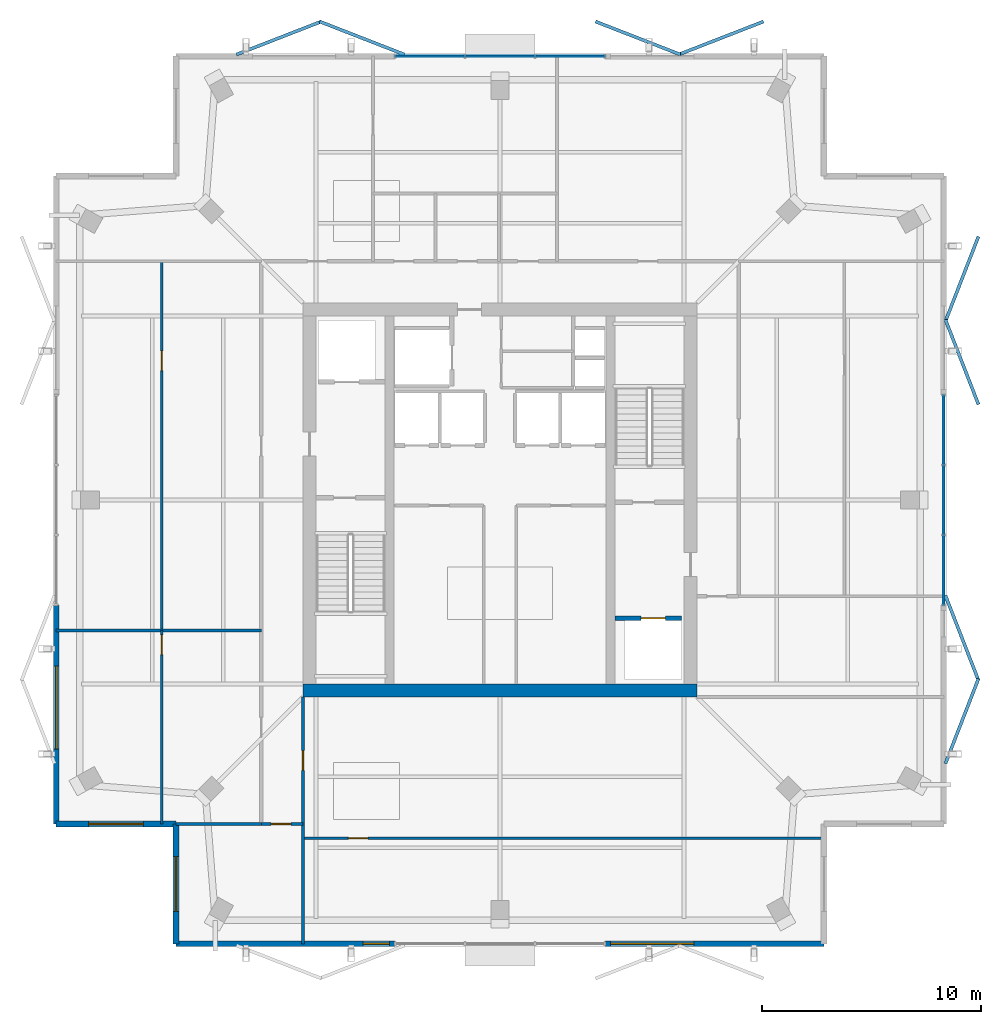
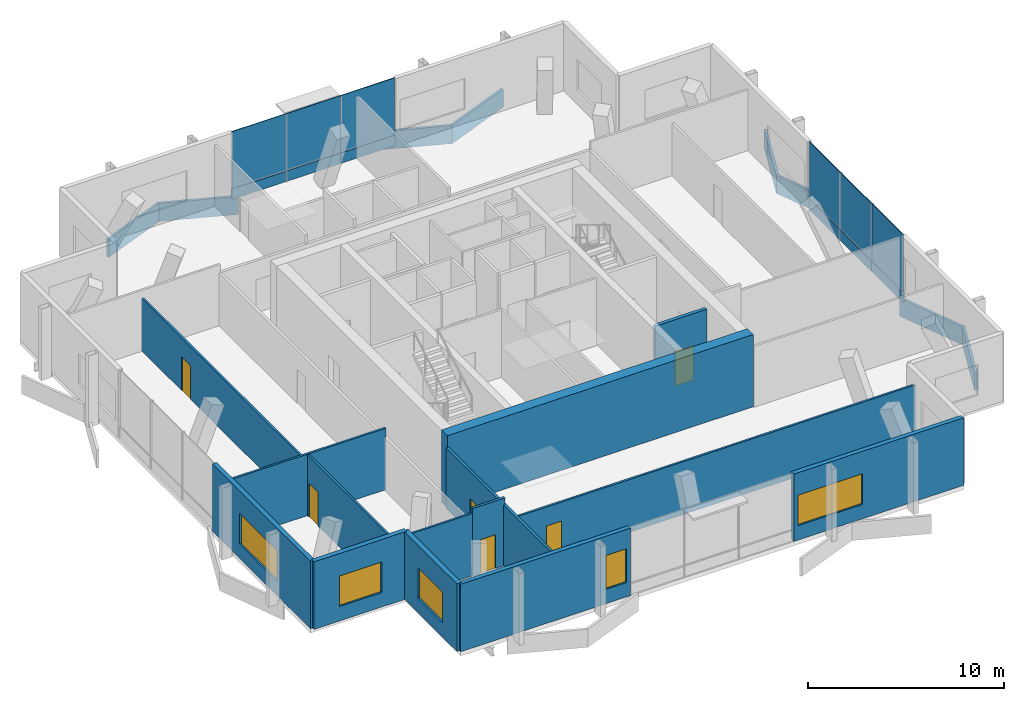
# One storey, part 11 of 16: 20 plates, 14 walls, 6 doors, 5 windows, 11 openings, 2 elements without a shape of their own.
"""IFC4 building model written with IfcOpenShell, lengths in metres."""

from ifc_helpers import new_model, si_unit, direction, frame, frame_2d, origin, origin_2d, place, context, subcontext, project, spatial, rectangle, extrude, material, layer, layer_set, type_object, element, fill, aggregate, save


model = new_model("IFC4")

# Units and contexts
model_context = context("Model", 3, precision=1e-05, world=origin(), true_north=direction((0.0, 1.0)))
body_context = subcontext(model_context, "Body", "Model", "MODEL_VIEW")
ifc_project = project(units=[si_unit("LENGTHUNIT", "METRE"), si_unit("AREAUNIT", "SQUARE_METRE"), si_unit("VOLUMEUNIT", "CUBIC_METRE"), si_unit("PLANEANGLEUNIT", "RADIAN"), si_unit("MASSUNIT", "GRAM", prefix="KILO")], contexts=[model_context])

# Site, building, storey
site_placement = place(None, origin())
site = spatial("IfcSite", under=ifc_project, at=site_placement, CompositionType="ELEMENT")
building_placement = place(site_placement, origin())
building = spatial("IfcBuilding", under=site, at=building_placement, Name="Belovzor Exchange Tower", CompositionType="ELEMENT")
storey_placement = place(building_placement, frame((0.0, 0.0, 364.5)))
storey = spatial("IfcBuildingStorey", under=building, at=storey_placement, Name="L91", CompositionType="ELEMENT", Elevation=364.5)

# Curtain wall, plates
ifc_material_1 = material(Name="Anodised Aluminium Framing", Category="aluminium")
ifc_layer_1 = layer(ifc_material_1, 0.169921875)
ifc_layer_set_1 = layer_set([ifc_layer_1], Name="Anodised Aluminium Framing")
curtain_wall_type = type_object("IfcCurtainWallType", Name="Stepped Crown Faceted Lantern Curtain Wall", PredefinedType="NOTDEFINED", material=ifc_layer_set_1)
curtain_wall_1_placement = place(storey_placement, origin())
curtain_wall_1 = element("IfcCurtainWall", 1, at=curtain_wall_1_placement, inside=storey, type_object=curtain_wall_type, Name="CW6 Stepped Crown Faceted Lantern Curtain Wall L91", PredefinedType="NOTDEFINED")
ifc_material_2 = material(Name="Solar-Control Triple Glazing", Category="glass")
ifc_layer_2 = layer(ifc_material_2, 0.0439453125)
ifc_layer_set_2 = layer_set([ifc_layer_2], Name="Solar-Control Triple Glazing")
plate_type_1 = type_object("IfcPlateType", Name="Insulated Solar Glazing Curtain Panel 44", PredefinedType="CURTAIN_PANEL", material=ifc_layer_set_2)
plate_1_placement = place(storey_placement, frame((25.60009765625, 49.070068359375, 0.65185546875), z_axis=(0.0, 0.0, 1.0), x_axis=(1.0, 0.0, 0.0)))
plate_1 = element("IfcPlate", 2, at=plate_1_placement, type_object=plate_type_1, Name="GLZ-44 Glazed Curtain Panel 1", PredefinedType="CURTAIN_PANEL", context=body_context, shape_type="SweptSolid", body=[
    extrude(rectangle(XDim=3.18408203125, YDim=0.0439453125, at=origin_2d()), origin(), (0.0, 0.0, 1.0), 3.548095703125),
])
plate_2_placement = place(storey_placement, frame((28.800048828125, 49.070068359375, 0.65185546875), z_axis=(0.0, 0.0, 1.0), x_axis=(1.0, 0.0, 0.0)))
plate_2 = element("IfcPlate", 3, at=plate_2_placement, type_object=plate_type_1, Name="GLZ-44 Glazed Curtain Panel 2", PredefinedType="CURTAIN_PANEL", context=body_context, shape_type="SweptSolid", body=[
    extrude(rectangle(XDim=3.18408203125, YDim=0.0439453125, at=origin_2d()), origin(), (0.0, 0.0, 1.0), 3.548095703125),
])
plate_3_placement = place(storey_placement, frame((32.0, 49.070068359375, 0.65185546875), z_axis=(0.0, 0.0, 1.0), x_axis=(1.0, 0.0, 0.0)))
plate_3 = element("IfcPlate", 4, at=plate_3_placement, type_object=plate_type_1, Name="GLZ-44 Glazed Curtain Panel 3", PredefinedType="CURTAIN_PANEL", context=body_context, shape_type="SweptSolid", body=[
    extrude(rectangle(XDim=3.18408203125, YDim=0.0439453125, at=origin_2d()), origin(), (0.0, 0.0, 1.0), 3.548095703125),
])

curtain_wall_2_placement = place(storey_placement, origin())
curtain_wall_2 = element("IfcCurtainWall", 5, at=curtain_wall_2_placement, inside=storey, type_object=curtain_wall_type, Name="CW6 Stepped Crown Faceted Lantern Curtain Wall L91", PredefinedType="NOTDEFINED")
plate_4_placement = place(storey_placement, frame((49.070068359375, 32.0, 0.65185546875), z_axis=(0.0, 0.0, 1.0), x_axis=(0.0, -1.0, 0.0)))
plate_4 = element("IfcPlate", 6, at=plate_4_placement, type_object=plate_type_1, Name="GLZ-44 Glazed Curtain Panel 1", PredefinedType="CURTAIN_PANEL", context=body_context, shape_type="SweptSolid", body=[
    extrude(rectangle(XDim=3.18408203125, YDim=0.0439453125, at=origin_2d()), origin(), (0.0, 0.0, 1.0), 3.548095703125),
])
plate_5_placement = place(storey_placement, frame((49.070068359375, 28.800048828125, 0.65185546875), z_axis=(0.0, 0.0, 1.0), x_axis=(0.0, -1.0, 0.0)))
plate_5 = element("IfcPlate", 7, at=plate_5_placement, type_object=plate_type_1, Name="GLZ-44 Glazed Curtain Panel 2", PredefinedType="CURTAIN_PANEL", context=body_context, shape_type="SweptSolid", body=[
    extrude(rectangle(XDim=3.18408203125, YDim=0.0439453125, at=origin_2d()), origin(), (0.0, 0.0, 1.0), 3.548095703125),
])
plate_6_placement = place(storey_placement, frame((49.070068359375, 25.60009765625, 0.65185546875), z_axis=(0.0, 0.0, 1.0), x_axis=(0.0, -1.0, 0.0)))
plate_6 = element("IfcPlate", 8, at=plate_6_placement, type_object=plate_type_1, Name="GLZ-44 Glazed Curtain Panel 3", PredefinedType="CURTAIN_PANEL", context=body_context, shape_type="SweptSolid", body=[
    extrude(rectangle(XDim=3.18408203125, YDim=0.0439453125, at=origin_2d()), origin(), (0.0, 0.0, 1.0), 3.548095703125),
])

# Plate
ifc_material_3 = material(Name="Extruded Architectural Terracotta", Category="masonry")
ifc_layer_3 = layer(ifc_material_3, 0.090087890625)
ifc_layer_set_3 = layer_set([ifc_layer_3], Name="Extruded Architectural Terracotta")
plate_type_2 = type_object("IfcPlateType", Name="Terracotta Shadow-Box Spandrel Panel 90", PredefinedType="CURTAIN_PANEL", material=ifc_layer_set_3)
plate_7_placement = place(storey_placement, frame((25.60009765625, 49.070068359375, 0.0), z_axis=(0.0, 0.0, 1.0), x_axis=(1.0, 0.0, 0.0)))
plate_7 = element("IfcPlate", 9, at=plate_7_placement, type_object=plate_type_2, Name="SPD-90 Spandrel Panel 1", PredefinedType="CURTAIN_PANEL", context=body_context, shape_type="SweptSolid", body=[
    extrude(rectangle(XDim=3.18408203125, YDim=0.090087890625, at=origin_2d()), origin(), (0.0, 0.0, 1.0), 0.64794921875),
])

plate_8_placement = place(storey_placement, frame((28.800048828125, 49.070068359375, 0.0), z_axis=(0.0, 0.0, 1.0), x_axis=(1.0, 0.0, 0.0)))
plate_8 = element("IfcPlate", 10, at=plate_8_placement, type_object=plate_type_2, Name="SPD-90 Spandrel Panel 2", PredefinedType="CURTAIN_PANEL", context=body_context, shape_type="SweptSolid", body=[
    extrude(rectangle(XDim=3.18408203125, YDim=0.090087890625, at=origin_2d()), origin(), (0.0, 0.0, 1.0), 0.64794921875),
])

plate_9_placement = place(storey_placement, frame((32.0, 49.070068359375, 0.0), z_axis=(0.0, 0.0, 1.0), x_axis=(1.0, 0.0, 0.0)))
plate_9 = element("IfcPlate", 11, at=plate_9_placement, type_object=plate_type_2, Name="SPD-90 Spandrel Panel 3", PredefinedType="CURTAIN_PANEL", context=body_context, shape_type="SweptSolid", body=[
    extrude(rectangle(XDim=3.18408203125, YDim=0.090087890625, at=origin_2d()), origin(), (0.0, 0.0, 1.0), 0.64794921875),
])

aggregate(curtain_wall_1, [plate_7, plate_1, plate_8, plate_2, plate_9, plate_3])

plate_10_placement = place(storey_placement, frame((49.070068359375, 32.0, 0.0), z_axis=(0.0, 0.0, 1.0), x_axis=(0.0, -1.0, 0.0)))
plate_10 = element("IfcPlate", 12, at=plate_10_placement, type_object=plate_type_2, Name="SPD-90 Spandrel Panel 1", PredefinedType="CURTAIN_PANEL", context=body_context, shape_type="SweptSolid", body=[
    extrude(rectangle(XDim=3.18408203125, YDim=0.090087890625, at=origin_2d()), origin(), (0.0, 0.0, 1.0), 0.64794921875),
])

plate_11_placement = place(storey_placement, frame((49.070068359375, 28.800048828125, 0.0), z_axis=(0.0, 0.0, 1.0), x_axis=(0.0, -1.0, 0.0)))
plate_11 = element("IfcPlate", 13, at=plate_11_placement, type_object=plate_type_2, Name="SPD-90 Spandrel Panel 2", PredefinedType="CURTAIN_PANEL", context=body_context, shape_type="SweptSolid", body=[
    extrude(rectangle(XDim=3.18408203125, YDim=0.090087890625, at=origin_2d()), origin(), (0.0, 0.0, 1.0), 0.64794921875),
])

plate_12_placement = place(storey_placement, frame((49.070068359375, 25.60009765625, 0.0), z_axis=(0.0, 0.0, 1.0), x_axis=(0.0, -1.0, 0.0)))
plate_12 = element("IfcPlate", 14, at=plate_12_placement, type_object=plate_type_2, Name="SPD-90 Spandrel Panel 3", PredefinedType="CURTAIN_PANEL", context=body_context, shape_type="SweptSolid", body=[
    extrude(rectangle(XDim=3.18408203125, YDim=0.090087890625, at=origin_2d()), origin(), (0.0, 0.0, 1.0), 0.64794921875),
])

aggregate(curtain_wall_2, [plate_10, plate_4, plate_11, plate_5, plate_12, plate_6])

# Plates
ifc_material_4 = material(Name="Extruded Architectural Terracotta", Category="masonry")
ifc_layer_4 = layer(ifc_material_4, 0.14990234375)
ifc_layer_set_4 = layer_set([ifc_layer_4], Name="Extruded Architectural Terracotta")
plate_type_3 = type_object("IfcPlateType", Name="Upper-Crown Deep Folded Zigzag Terracotta Spandrel Louvre 150", PredefinedType="USERDEFINED", material=ifc_layer_set_4)
for number, where, z_axis, x_axis, name in (
    (15, (18.699951171875, 49.89990234375, -1.10498046875), (0.0, 0.0, 1.0), (0.931817969421, 0.362925986758, 0.0), "LVR-ZZ3 Zigzag Terracotta Spandrel Louvre L91 N1A"),
    (16, (22.5, 49.89990234375, -1.10498046875), (0.0, 0.0, 1.0), (0.931817969421, -0.362925986758, 0.0), "LVR-ZZ3 Zigzag Terracotta Spandrel Louvre L91 N1B"),
    (17, (49.89990234375, 18.699951171875, -1.10498046875), (0.0, 0.0, 1.0), (0.362925986758, 0.931817969421, 0.0), "LVR-ZZ3 Zigzag Terracotta Spandrel Louvre L91 E1A"),
    (18, (49.89990234375, 22.5, -1.10498046875), (0.0, 0.0, 1.0), (-0.362925986758, 0.931817969421, 0.0), "LVR-ZZ3 Zigzag Terracotta Spandrel Louvre L91 E1B"),
    (19, (35.10009765625, 49.89990234375, -1.10498046875), (0.0, 0.0, 1.0), (0.931817969421, -0.362925986758, 0.0), "LVR-ZZ3 Zigzag Terracotta Spandrel Louvre L91 N2A"),
    (20, (38.89990234375, 49.89990234375, -1.10498046875), (0.0, 0.0, 1.0), (0.931817969421, 0.362925986758, 0.0), "LVR-ZZ3 Zigzag Terracotta Spandrel Louvre L91 N2B"),
    (21, (49.89990234375, 35.10009765625, -1.10498046875), (0.0, 0.0, 1.0), (-0.362925986758, 0.931817969421, 0.0), "LVR-ZZ3 Zigzag Terracotta Spandrel Louvre L91 E2A"),
    (22, (49.89990234375, 38.89990234375, -1.10498046875), (0.0, 0.0, 1.0), (0.362925986758, 0.931817969421, 0.0), "LVR-ZZ3 Zigzag Terracotta Spandrel Louvre L91 E2B"),
):
    element("IfcPlate", number, at=place(storey_placement, frame(where, z_axis=z_axis, x_axis=x_axis)), inside=storey, type_object=plate_type_3, Name=name, ObjectType="SPANDREL_LOUVRE", PredefinedType="USERDEFINED", context=body_context, shape_type="SweptSolid", body=[
        extrude(rectangle(XDim=4.157958984375, YDim=0.14990234375, at=origin_2d()), origin(), (0.0, 0.0, 1.0), 1.1201171875),
    ])

# Wall, opening, door
ifc_material_5 = material(Name="Acoustic Plasterboard on Galvanised Studs", Category="gypsum")
ifc_layer_5 = layer(ifc_material_5, 0.1201171875)
ifc_layer_set_5 = layer_set([ifc_layer_5], Name="Acoustic Plasterboard on Galvanised Studs")
wall_type_1 = type_object("IfcWallType", Name="Acoustic Double-Stud Partition Wall 120", PredefinedType="PARTITIONING", material=ifc_layer_set_5)
wall_1_placement = place(storey_placement, frame((13.35791015625, 14.0, 0.0), z_axis=(0.0, 0.0, 1.0), x_axis=(0.0, 1.0, 0.0)))
wall_1 = element("IfcWall", 23, at=wall_1_placement, inside=storey, type_object=wall_type_1, Name="W-P120 Partition Wall W-L91-WHDIV-0", PredefinedType="PARTITIONING", context=body_context, shape_type="SweptSolid", body=[
    extrude(rectangle(XDim=8.841064453125, YDim=0.1201171875, at=frame_2d((4.42041015625, 0.0))), origin(), (0.0, 0.0, 1.0), 3.784912109375),
])
opening_1_placement = place(wall_1_placement, frame((7.740966796875, 0.0, 0.0)))
opening_1 = element("IfcOpeningElement", 24, at=opening_1_placement, cuts=wall_1, Name="Opening D-INT-090", PredefinedType="OPENING", context=body_context, shape_type="SweptSolid", body=[
    extrude(rectangle(XDim=0.89990234375, YDim=2.10009765625, at=frame_2d((0.449951171875, 1.050048828125))), frame((0.0, 0.070068359375, 0.0), z_axis=(0.0, -1.0, 0.0), x_axis=(1.0, 0.0, 0.0)), (0.0, 0.0, 1.0), 0.14013671875),
])
ifc_material_6 = material(Name="Veneered Hardwood Acoustic Leaf", Category="wood")
door_type_1 = type_object("IfcDoorType", Name="Trading Suite Acoustic Single Door 900x2100", OperationType="NOTDEFINED", PredefinedType="DOOR", material=ifc_material_6)
door_1_placement = place(opening_1_placement, origin())
door_1 = element("IfcDoor", 25, at=door_1_placement, inside=storey, type_object=door_type_1, Name="D-INT-090 Trading Suite Acoustic Single Door 900x2100", OperationType="SINGLE_SWING_LEFT", OverallHeight=2.10009765625, OverallWidth=0.89990234375, PredefinedType="DOOR", context=body_context, shape_type="SweptSolid", body=[
    extrude(rectangle(XDim=0.89990234375, YDim=2.10009765625, at=frame_2d((0.449951171875, 1.050048828125))), frame((0.0, 0.02490234375, 0.0), z_axis=(0.0, -1.0, 0.0), x_axis=(1.0, 0.0, 0.0)), (0.0, 0.0, 1.0), 0.050048828125),
])
fill(opening_1, door_1)

# Wall
wall_2_placement = place(storey_placement, frame((8.530029296875, 22.841064453125, 0.0), z_axis=(0.0, 0.0, 1.0), x_axis=(1.0, 0.0, 0.0)))
element("IfcWall", 26, at=wall_2_placement, inside=storey, type_object=wall_type_1, Name="W-P120 Partition Wall W-L91-WDIV-1", PredefinedType="PARTITIONING", context=body_context, shape_type="SweptSolid", body=[
    extrude(rectangle(XDim=9.369873046875, YDim=0.1201171875, at=frame_2d((4.68505859375, 0.0))), origin(), (0.0, 0.0, 1.0), 3.824951171875),
])

# Wall, opening, door
wall_3_placement = place(storey_placement, frame((13.35791015625, 22.841064453125, 0.0), z_axis=(0.0, 0.0, 1.0), x_axis=(0.0, 1.0, 0.0)))
wall_3 = element("IfcWall", 27, at=wall_3_placement, inside=storey, type_object=wall_type_1, Name="W-P120 Partition Wall W-L91-WHDIV-1", PredefinedType="PARTITIONING", context=body_context, shape_type="SweptSolid", body=[
    extrude(rectangle(XDim=16.85888671875, YDim=0.1201171875, at=frame_2d((8.429443359375, 0.0))), origin(), (0.0, 0.0, 1.0), 3.284912109375),
])
opening_2_placement = place(wall_3_placement, frame((11.868896484375, 0.0, 0.0)))
opening_2 = element("IfcOpeningElement", 28, at=opening_2_placement, cuts=wall_3, Name="Opening D-INT-090", PredefinedType="OPENING", context=body_context, shape_type="SweptSolid", body=[
    extrude(rectangle(XDim=0.89990234375, YDim=2.10009765625, at=frame_2d((0.449951171875, 1.050048828125))), frame((0.0, 0.070068359375, 0.0), z_axis=(0.0, -1.0, 0.0), x_axis=(1.0, 0.0, 0.0)), (0.0, 0.0, 1.0), 0.14013671875),
])
door_2_placement = place(opening_2_placement, origin())
door_2 = element("IfcDoor", 29, at=door_2_placement, inside=storey, type_object=door_type_1, Name="D-INT-090 Trading Suite Acoustic Single Door 900x2100", OperationType="SINGLE_SWING_LEFT", OverallHeight=2.10009765625, OverallWidth=0.89990234375, PredefinedType="DOOR", context=body_context, shape_type="SweptSolid", body=[
    extrude(rectangle(XDim=0.89990234375, YDim=2.10009765625, at=frame_2d((0.449951171875, 1.050048828125))), frame((0.0, 0.02490234375, 0.0), z_axis=(0.0, -1.0, 0.0), x_axis=(1.0, 0.0, 0.0)), (0.0, 0.0, 1.0), 0.050048828125),
])
fill(opening_2, door_2)

# Wall
wall_4_placement = place(storey_placement, frame((14.0, 14.0, 0.0), z_axis=(0.0, 0.0, 1.0), x_axis=(1.0, 0.0, 0.0)))
element("IfcWall", 30, at=wall_4_placement, inside=storey, type_object=wall_type_1, Name="W-P120 Partition Wall W-L91-SWS", PredefinedType="PARTITIONING", context=body_context, shape_type="SweptSolid", body=[
    extrude(rectangle(XDim=3.89990234375, YDim=0.1201171875, at=frame_2d((1.949951171875, 0.0))), origin(), (0.0, 0.0, 1.0), 3.885009765625),
])

# Wall, opening, door
wall_5_placement = place(storey_placement, frame((19.800048828125, 13.35595703125, 0.0), z_axis=(0.0, 0.0, 1.0), x_axis=(1.0, 0.0, 0.0)))
wall_5 = element("IfcWall", 31, at=wall_5_placement, inside=storey, type_object=wall_type_1, Name="W-P120 Partition Wall W-L91-SHDIV-0", PredefinedType="PARTITIONING", context=body_context, shape_type="SweptSolid", body=[
    extrude(rectangle(XDim=23.800048828125, YDim=0.1201171875, at=frame_2d((11.89990234375, 0.0))), origin(), (0.0, 0.0, 1.0), 3.284912109375),
])
opening_3_placement = place(wall_5_placement, frame((2.074951171875, 0.0, 0.0)))
opening_3 = element("IfcOpeningElement", 32, at=opening_3_placement, cuts=wall_5, Name="Opening D-INT-090", PredefinedType="OPENING", context=body_context, shape_type="SweptSolid", body=[
    extrude(rectangle(XDim=0.89990234375, YDim=2.10009765625, at=frame_2d((0.449951171875, 1.050048828125))), frame((0.0, 0.070068359375, 0.0), z_axis=(0.0, -1.0, 0.0), x_axis=(1.0, 0.0, 0.0)), (0.0, 0.0, 1.0), 0.14013671875),
])
door_3_placement = place(opening_3_placement, origin())
door_3 = element("IfcDoor", 33, at=door_3_placement, inside=storey, type_object=door_type_1, Name="D-INT-090 Trading Suite Acoustic Single Door 900x2100", OperationType="SINGLE_SWING_LEFT", OverallHeight=2.10009765625, OverallWidth=0.89990234375, PredefinedType="DOOR", context=body_context, shape_type="SweptSolid", body=[
    extrude(rectangle(XDim=0.89990234375, YDim=2.10009765625, at=frame_2d((0.449951171875, 1.050048828125))), frame((0.0, 0.02490234375, 0.0), z_axis=(0.0, -1.0, 0.0), x_axis=(1.0, 0.0, 0.0)), (0.0, 0.0, 1.0), 0.050048828125),
])
fill(opening_3, door_3)

ifc_material_7 = material(Name="Fire-Rated Gypsum Block and Mineral Wool", Category="gypsum")
ifc_layer_6 = layer(ifc_material_7, 0.14990234375)
ifc_layer_set_6 = layer_set([ifc_layer_6], Name="Fire-Rated Gypsum Block and Mineral Wool")
wall_type_2 = type_object("IfcWallType", Name="Fire-Rated Gypsum Block Corridor Wall 150", PredefinedType="PARTITIONING", material=ifc_layer_set_6)
wall_6_placement = place(storey_placement, frame((17.89990234375, 14.0, 0.0), z_axis=(0.0, 0.0, 1.0), x_axis=(1.0, 0.0, 0.0)))
wall_6 = element("IfcWall", 34, at=wall_6_placement, inside=storey, type_object=wall_type_2, Name="W-P150 Partition Wall W-L91-CW-END", PredefinedType="PARTITIONING", context=body_context, shape_type="SweptSolid", body=[
    extrude(rectangle(XDim=1.900146484375, YDim=0.14990234375, at=frame_2d((0.9501953125, 0.0))), origin(), (0.0, 0.0, 1.0), 4.199951171875),
])
opening_4_placement = place(wall_6_placement, frame((0.449951171875, 0.0, 0.0)))
opening_4 = element("IfcOpeningElement", 35, at=opening_4_placement, cuts=wall_6, Name="Opening D-FD60-090", PredefinedType="OPENING", context=body_context, shape_type="SweptSolid", body=[
    extrude(rectangle(XDim=0.89990234375, YDim=2.10009765625, at=frame_2d((0.449951171875, 1.050048828125))), frame((0.0, 0.0849609375, 0.0), z_axis=(0.0, -1.0, 0.0), x_axis=(1.0, 0.0, 0.0)), (0.0, 0.0, 1.0), 0.169921875),
])
ifc_material_8 = material(Name="Acoustic Timber Fire Leaf", Category="wood")
door_type_2 = type_object("IfcDoorType", Name="Core Service & Restroom Fire Door 900x2100", OperationType="NOTDEFINED", PredefinedType="DOOR", material=ifc_material_8)
door_4_placement = place(opening_4_placement, origin())
door_4 = element("IfcDoor", 36, at=door_4_placement, inside=storey, type_object=door_type_2, Name="D-FD60-090 Core Service & Restroom Fire Door 900x2100", OperationType="SINGLE_SWING_LEFT", OverallHeight=2.10009765625, OverallWidth=0.89990234375, PredefinedType="DOOR", context=body_context, shape_type="SweptSolid", body=[
    extrude(rectangle(XDim=0.89990234375, YDim=2.10009765625, at=frame_2d((0.449951171875, 1.050048828125))), frame((0.0, 0.02490234375, 0.0), z_axis=(0.0, -1.0, 0.0), x_axis=(1.0, 0.0, 0.0)), (0.0, 0.0, 1.0), 0.050048828125),
])
fill(opening_4, door_4)

wall_7_placement = place(storey_placement, frame((19.800048828125, 8.530029296875, 0.0), z_axis=(0.0, 0.0, 1.0), x_axis=(0.0, 1.0, 0.0)))
wall_7 = element("IfcWall", 37, at=wall_7_placement, inside=storey, type_object=wall_type_2, Name="W-P150 Partition Wall W-L91-CW-E", PredefinedType="PARTITIONING", context=body_context, shape_type="SweptSolid", body=[
    extrude(rectangle(XDim=11.27001953125, YDim=0.14990234375, at=frame_2d((5.635009765625, 0.0))), origin(), (0.0, 0.0, 1.0), 3.784912109375),
])
opening_5_placement = place(wall_7_placement, frame((7.919921875, 0.0, 0.0)))
opening_5 = element("IfcOpeningElement", 38, at=opening_5_placement, cuts=wall_7, Name="Opening D-FD60-090", PredefinedType="OPENING", context=body_context, shape_type="SweptSolid", body=[
    extrude(rectangle(XDim=0.89990234375, YDim=2.10009765625, at=frame_2d((0.449951171875, 1.050048828125))), frame((0.0, 0.0849609375, 0.0), z_axis=(0.0, -1.0, 0.0), x_axis=(1.0, 0.0, 0.0)), (0.0, 0.0, 1.0), 0.169921875),
])
door_5_placement = place(opening_5_placement, origin())
door_5 = element("IfcDoor", 39, at=door_5_placement, inside=storey, type_object=door_type_2, Name="D-FD60-090 Core Service & Restroom Fire Door 900x2100", OperationType="SINGLE_SWING_RIGHT", OverallHeight=2.10009765625, OverallWidth=0.89990234375, PredefinedType="DOOR", context=body_context, shape_type="SweptSolid", body=[
    extrude(rectangle(XDim=0.89990234375, YDim=2.10009765625, at=frame_2d((0.449951171875, 1.050048828125))), frame((0.0, 0.02490234375, 0.0), z_axis=(0.0, -1.0, 0.0), x_axis=(1.0, 0.0, 0.0)), (0.0, 0.0, 1.0), 0.050048828125),
])
fill(opening_5, door_5)

# Wall, opening, window
ifc_material_9 = material(Name="Precast concrete C40/50", Category="concrete")
ifc_layer_7 = layer(ifc_material_9, 0.280029296875)
ifc_layer_set_7 = layer_set([ifc_layer_7], Name="Precast concrete C40/50")
wall_type_3 = type_object("IfcWallType", Name="Precast Concrete Notched Corner Frame Wall 280", PredefinedType="SOLIDWALL", material=ifc_layer_set_7)
wall_8_placement = place(storey_placement, frame((14.0, 8.530029296875, 0.0), z_axis=(0.0, 0.0, 1.0), x_axis=(0.0, 1.0, 0.0)))
wall_8 = element("IfcWall", 40, at=wall_8_placement, inside=storey, type_object=wall_type_3, Name="W-CRN280 Precast Concrete Notched Corner Frame Wall 280 L91", PredefinedType="SOLIDWALL", context=body_context, shape_type="SweptSolid", body=[
    extrude(rectangle(XDim=5.469970703125, YDim=0.280029296875, at=frame_2d((2.73486328125, 0.0))), origin(), (0.0, 0.0, 1.0), 4.199951171875),
])
opening_6_placement = place(wall_8_placement, frame((1.485107421875, 0.0, 0.89990234375)))
opening_6 = element("IfcOpeningElement", 41, at=opening_6_placement, cuts=wall_8, Name="Opening WN-CRN250", PredefinedType="OPENING", context=body_context, shape_type="SweptSolid", body=[
    extrude(rectangle(XDim=2.5, YDim=1.89990234375, at=frame_2d((1.25, 0.949951171875))), frame((0.0, 0.14990234375, 0.0), z_axis=(0.0, -1.0, 0.0), x_axis=(1.0, 0.0, 0.0)), (0.0, 0.0, 1.0), 0.300048828125),
])
ifc_material_10 = material(Name="Thermally Broken Aluminium and Triple Glazing", Category="aluminium")
window_type_1 = type_object("IfcWindowType", Name="Streamline Moderne Corner Wrap Ribbon Window 2500x1900", PartitioningType="SINGLE_PANEL", PredefinedType="WINDOW", material=ifc_material_10)
window_1_placement = place(opening_6_placement, origin())
window_1 = element("IfcWindow", 42, at=window_1_placement, inside=storey, type_object=window_type_1, Name="WN-CRN250 Streamline Moderne Corner Wrap Ribbon Window 2500x1900", OverallHeight=1.89990234375, OverallWidth=2.5, PartitioningType="SINGLE_PANEL", PredefinedType="WINDOW", context=body_context, shape_type="SweptSolid", body=[
    extrude(rectangle(XDim=2.5, YDim=1.89990234375, at=frame_2d((1.25, 0.949951171875))), frame((0.0, 0.030029296875, 0.0), z_axis=(0.0, -1.0, 0.0), x_axis=(1.0, 0.0, 0.0)), (0.0, 0.0, 1.0), 0.06005859375),
])
fill(opening_6, window_1)

wall_9_placement = place(storey_placement, frame((14.0, 14.0, 0.0), z_axis=(0.0, 0.0, 1.0), x_axis=(-1.0, 0.0, 0.0)))
wall_9 = element("IfcWall", 43, at=wall_9_placement, inside=storey, type_object=wall_type_3, Name="W-CRN280 Precast Concrete Notched Corner Frame Wall 280 L91", PredefinedType="SOLIDWALL", context=body_context, shape_type="SweptSolid", body=[
    extrude(rectangle(XDim=5.469970703125, YDim=0.280029296875, at=frame_2d((2.73486328125, 0.0))), origin(), (0.0, 0.0, 1.0), 4.199951171875),
])
opening_7_placement = place(wall_9_placement, frame((1.485107421875, 0.0, 0.89990234375)))
opening_7 = element("IfcOpeningElement", 44, at=opening_7_placement, cuts=wall_9, Name="Opening WN-CRN250", PredefinedType="OPENING", context=body_context, shape_type="SweptSolid", body=[
    extrude(rectangle(XDim=2.5, YDim=1.89990234375, at=frame_2d((1.25, 0.949951171875))), frame((0.0, 0.14990234375, 0.0), z_axis=(0.0, -1.0, 0.0), x_axis=(1.0, 0.0, 0.0)), (0.0, 0.0, 1.0), 0.300048828125),
])
window_2_placement = place(opening_7_placement, origin())
window_2 = element("IfcWindow", 45, at=window_2_placement, inside=storey, type_object=window_type_1, Name="WN-CRN250 Streamline Moderne Corner Wrap Ribbon Window 2500x1900", OverallHeight=1.89990234375, OverallWidth=2.5, PartitioningType="SINGLE_PANEL", PredefinedType="WINDOW", context=body_context, shape_type="SweptSolid", body=[
    extrude(rectangle(XDim=2.5, YDim=1.89990234375, at=frame_2d((1.25, 0.949951171875))), frame((0.0, 0.030029296875, 0.0), z_axis=(0.0, -1.0, 0.0), x_axis=(1.0, 0.0, 0.0)), (0.0, 0.0, 1.0), 0.06005859375),
])
fill(opening_7, window_2)

ifc_material_11 = material(Name="Precast concrete C40/50", Category="concrete")
ifc_layer_8 = layer(ifc_material_11, 0.260009765625)
ifc_layer_set_8 = layer_set([ifc_layer_8], Name="Precast concrete C40/50")
wall_type_4 = type_object("IfcWallType", Name="Precast Concrete Perimeter Loggia Frame Wall 260", PredefinedType="SOLIDWALL", material=ifc_layer_set_8)
wall_10_placement = place(storey_placement, frame((43.60009765625, 8.530029296875, 0.0), z_axis=(0.0, 0.0, 1.0), x_axis=(-1.0, 0.0, 0.0)))
wall_10 = element("IfcWall", 46, at=wall_10_placement, inside=storey, type_object=wall_type_4, Name="W-EXT260 Precast Concrete Perimeter Loggia Frame Wall 260 L91", PredefinedType="SOLIDWALL", context=body_context, shape_type="SweptSolid", body=[
    extrude(rectangle(XDim=10.0, YDim=0.260009765625, at=frame_2d((5.0, 0.0))), origin(), (0.0, 0.0, 1.0), 4.199951171875),
])
opening_8_placement = place(wall_10_placement, frame((5.949951171875, 0.0, 0.89990234375)))
opening_8 = element("IfcOpeningElement", 47, at=opening_8_placement, cuts=wall_10, Name="Opening WN-RIB380", PredefinedType="OPENING", context=body_context, shape_type="SweptSolid", body=[
    extrude(rectangle(XDim=3.800048828125, YDim=1.89990234375, at=frame_2d((1.89990234375, 0.949951171875))), frame((0.0, 0.139892578125, 0.0), z_axis=(0.0, -1.0, 0.0), x_axis=(1.0, 0.0, 0.0)), (0.0, 0.0, 1.0), 0.280029296875),
])
ifc_material_12 = material(Name="Thermally Broken Aluminium and Triple Glazing", Category="aluminium")
window_type_2 = type_object("IfcWindowType", Name="Streamline Moderne Horizontal Ribbon Window 3800x1900", PartitioningType="SINGLE_PANEL", PredefinedType="WINDOW", material=ifc_material_12)
window_3_placement = place(opening_8_placement, origin())
window_3 = element("IfcWindow", 48, at=window_3_placement, inside=storey, type_object=window_type_2, Name="WN-RIB380 Streamline Moderne Horizontal Ribbon Window 3800x1900", OverallHeight=1.89990234375, OverallWidth=3.800048828125, PartitioningType="SINGLE_PANEL", PredefinedType="WINDOW", context=body_context, shape_type="SweptSolid", body=[
    extrude(rectangle(XDim=3.800048828125, YDim=1.89990234375, at=frame_2d((1.89990234375, 0.949951171875))), frame((0.0, 0.030029296875, 0.0), z_axis=(0.0, -1.0, 0.0), x_axis=(1.0, 0.0, 0.0)), (0.0, 0.0, 1.0), 0.06005859375),
])
fill(opening_8, window_3)

wall_11_placement = place(storey_placement, frame((24.0, 8.530029296875, 0.0), z_axis=(0.0, 0.0, 1.0), x_axis=(-1.0, 0.0, 0.0)))
wall_11 = element("IfcWall", 49, at=wall_11_placement, inside=storey, type_object=wall_type_4, Name="W-EXT260 Precast Concrete Perimeter Loggia Frame Wall 260 L91", PredefinedType="SOLIDWALL", context=body_context, shape_type="SweptSolid", body=[
    extrude(rectangle(XDim=10.0, YDim=0.260009765625, at=frame_2d((5.0, 0.0))), origin(), (0.0, 0.0, 1.0), 4.199951171875),
])
opening_9_placement = place(wall_11_placement, frame((0.25, 0.0, 0.89990234375)))
opening_9 = element("IfcOpeningElement", 50, at=opening_9_placement, cuts=wall_11, Name="Opening WN-CRN120", PredefinedType="OPENING", context=body_context, shape_type="SweptSolid", body=[
    extrude(rectangle(XDim=1.199951171875, YDim=2.10009765625, at=frame_2d((0.60009765625, 1.050048828125))), frame((0.0, 0.139892578125, 0.0), z_axis=(0.0, -1.0, 0.0), x_axis=(1.0, 0.0, 0.0)), (0.0, 0.0, 1.0), 0.280029296875),
])
ifc_material_13 = material(Name="Thermally Broken Aluminium and Triple Glazing", Category="aluminium")
window_type_3 = type_object("IfcWindowType", Name="Streamline Notched Corner Window 1200x2100", PartitioningType="SINGLE_PANEL", PredefinedType="WINDOW", material=ifc_material_13)
window_4_placement = place(opening_9_placement, origin())
window_4 = element("IfcWindow", 51, at=window_4_placement, inside=storey, type_object=window_type_3, Name="WN-CRN120 Streamline Notched Corner Window 1200x2100", OverallHeight=2.10009765625, OverallWidth=1.199951171875, PartitioningType="SINGLE_PANEL", PredefinedType="WINDOW", context=body_context, shape_type="SweptSolid", body=[
    extrude(rectangle(XDim=1.199951171875, YDim=2.10009765625, at=frame_2d((0.60009765625, 1.050048828125))), frame((0.0, 0.030029296875, 0.0), z_axis=(0.0, -1.0, 0.0), x_axis=(1.0, 0.0, 0.0)), (0.0, 0.0, 1.0), 0.06005859375),
])
fill(opening_9, window_4)

wall_12_placement = place(storey_placement, frame((8.530029296875, 14.0, 0.0), z_axis=(0.0, 0.0, 1.0), x_axis=(0.0, 1.0, 0.0)))
wall_12 = element("IfcWall", 52, at=wall_12_placement, inside=storey, type_object=wall_type_4, Name="W-EXT260 Precast Concrete Perimeter Loggia Frame Wall 260 L91", PredefinedType="SOLIDWALL", context=body_context, shape_type="SweptSolid", body=[
    extrude(rectangle(XDim=10.0, YDim=0.260009765625, at=frame_2d((5.0, 0.0))), origin(), (0.0, 0.0, 1.0), 4.199951171875),
])
opening_10_placement = place(wall_12_placement, frame((3.4169921875, 0.0, 0.89990234375)))
opening_10 = element("IfcOpeningElement", 53, at=opening_10_placement, cuts=wall_12, Name="Opening WN-RIB380", PredefinedType="OPENING", context=body_context, shape_type="SweptSolid", body=[
    extrude(rectangle(XDim=3.800048828125, YDim=1.89990234375, at=frame_2d((1.89990234375, 0.949951171875))), frame((0.0, 0.139892578125, 0.0), z_axis=(0.0, -1.0, 0.0), x_axis=(1.0, 0.0, 0.0)), (0.0, 0.0, 1.0), 0.280029296875),
])
window_5_placement = place(opening_10_placement, origin())
window_5 = element("IfcWindow", 54, at=window_5_placement, inside=storey, type_object=window_type_2, Name="WN-RIB380 Streamline Moderne Horizontal Ribbon Window 3800x1900", OverallHeight=1.89990234375, OverallWidth=3.800048828125, PartitioningType="SINGLE_PANEL", PredefinedType="WINDOW", context=body_context, shape_type="SweptSolid", body=[
    extrude(rectangle(XDim=3.800048828125, YDim=1.89990234375, at=frame_2d((1.89990234375, 0.949951171875))), frame((0.0, 0.030029296875, 0.0), z_axis=(0.0, -1.0, 0.0), x_axis=(1.0, 0.0, 0.0)), (0.0, 0.0, 1.0), 0.06005859375),
])
fill(opening_10, window_5)

# Wall, opening, door
ifc_material_14 = material(Name="Concrete C50/60", Category="concrete")
ifc_layer_9 = layer(ifc_material_14, 0.199951171875)
ifc_layer_set_9 = layer_set([ifc_layer_9], Name="Concrete C50/60")
wall_type_5 = type_object("IfcWallType", Name="Reinforced Concrete Core Shaft Shear Wall 200", PredefinedType="SHEAR", material=ifc_layer_set_9)
wall_13_placement = place(storey_placement, frame((34.050048828125, 23.39990234375, 0.0), z_axis=(0.0, 0.0, 1.0), x_axis=(1.0, 0.0, 0.0)))
wall_13 = element("IfcWall", 55, at=wall_13_placement, inside=storey, type_object=wall_type_5, Name="W-C200S Core Shaft Wall W-SH-L91-FFL-02", PredefinedType="SHEAR", context=body_context, shape_type="SweptSolid", body=[
    extrude(rectangle(XDim=3.050048828125, YDim=0.199951171875, at=frame_2d((1.52490234375, 0.0))), origin(), (0.0, 0.0, 1.0), 4.199951171875),
])
opening_11_placement = place(wall_13_placement, frame((1.199951171875, 0.0, 0.0)))
opening_11 = element("IfcOpeningElement", 56, at=opening_11_placement, cuts=wall_13, Name="Opening LD-110", PredefinedType="OPENING", context=body_context, shape_type="SweptSolid", body=[
    extrude(rectangle(XDim=1.10009765625, YDim=2.14990234375, at=frame_2d((0.550048828125, 1.074951171875))), frame((0.0, 0.10986328125, 0.0), z_axis=(0.0, -1.0, 0.0), x_axis=(1.0, 0.0, 0.0)), (0.0, 0.0, 1.0), 0.219970703125),
])
ifc_material_15 = material(Name="Stainless Steel Grade 304", Category="steel")
door_type_3 = type_object("IfcDoorType", Name="Automated Stainless Steel Lift Landing Door 1100x2150", OperationType="SLIDING_TO_RIGHT", PredefinedType="DOOR", material=ifc_material_15)
door_6_placement = place(opening_11_placement, origin())
door_6 = element("IfcDoor", 57, at=door_6_placement, inside=storey, type_object=door_type_3, Name="LD-110 Automated Stainless Steel Lift Landing Door 1100x2150", OperationType="SLIDING_TO_RIGHT", OverallHeight=2.14990234375, OverallWidth=1.10009765625, PredefinedType="DOOR", context=body_context, shape_type="SweptSolid", body=[
    extrude(rectangle(XDim=1.10009765625, YDim=2.14990234375, at=frame_2d((0.550048828125, 1.074951171875))), frame((0.0, 0.02490234375, 0.0), z_axis=(0.0, -1.0, 0.0), x_axis=(1.0, 0.0, 0.0)), (0.0, 0.0, 1.0), 0.050048828125),
])
fill(opening_11, door_6)

# Wall
ifc_material_16 = material(Name="Concrete C50/60", Category="concrete")
ifc_layer_10 = layer(ifc_material_16, 0.60009765625)
ifc_layer_set_10 = layer_set([ifc_layer_10], Name="Concrete C50/60")
wall_type_6 = type_object("IfcWallType", Name="Reinforced Concrete Core Shear Wall 600", PredefinedType="SHEAR", material=ifc_layer_set_10)
wall_14_placement = place(storey_placement, frame((19.800048828125, 20.10009765625, 0.0), z_axis=(0.0, 0.0, 1.0), x_axis=(1.0, 0.0, 0.0)))
element("IfcWall", 58, at=wall_14_placement, inside=storey, type_object=wall_type_6, Name="CW-S060 Core Shear Wall L91 S", PredefinedType="SHEAR", context=body_context, shape_type="SweptSolid", body=[
    extrude(rectangle(XDim=18.0, YDim=0.60009765625, at=frame_2d((9.0, 0.0))), origin(), (0.0, 0.0, 1.0), 4.5),
])

save(model, "model.ifc")
